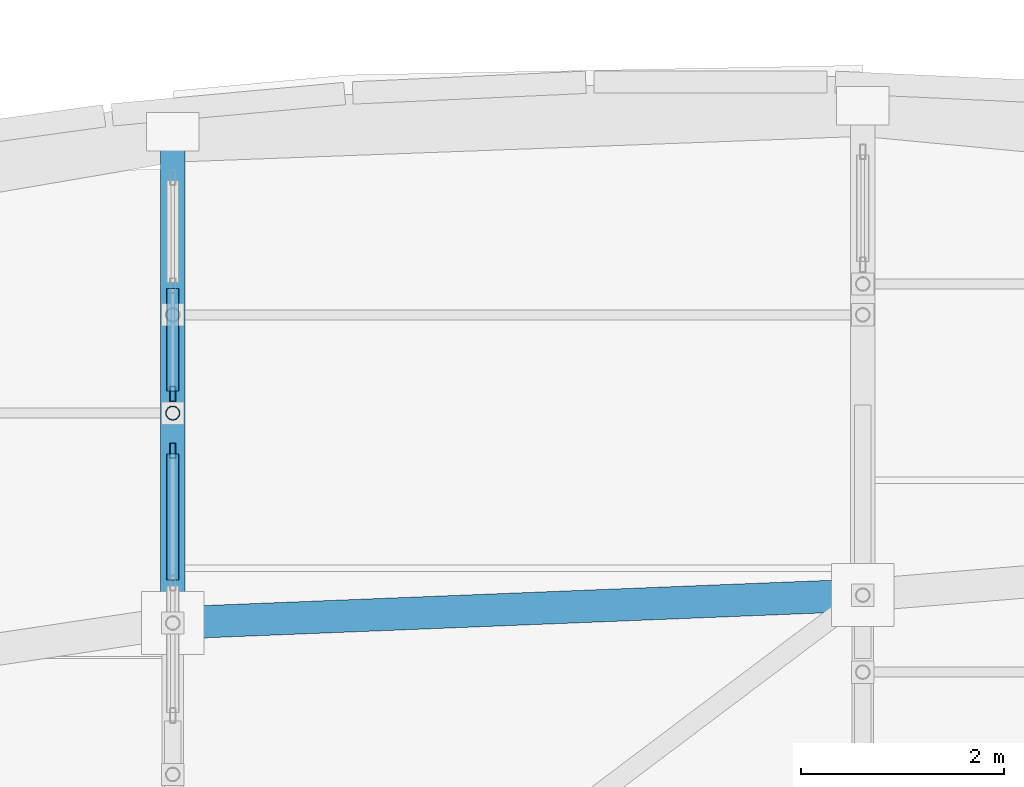
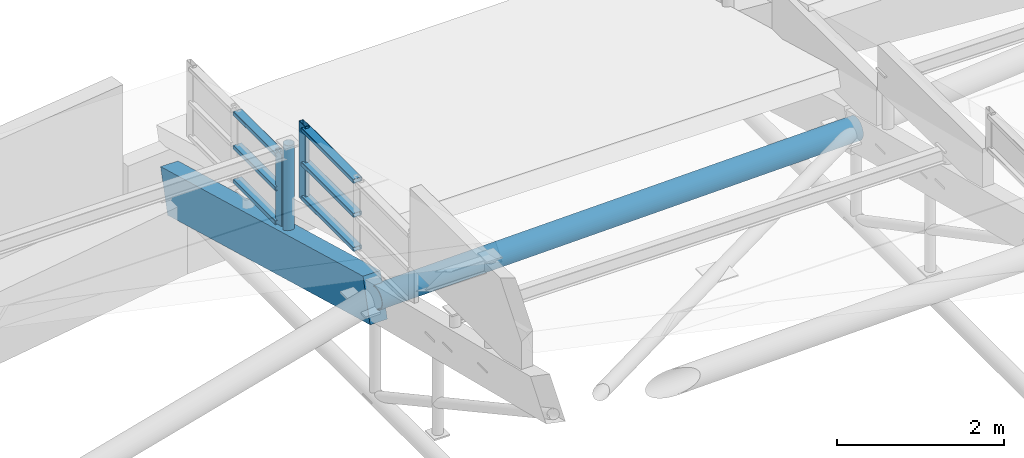
# One storey, part 99 of 188: 11 members, 2 elements without a shape of their own.
"""IFC4 building model written with IfcOpenShell, lengths in metres."""

from ifc_helpers import new_model, si_unit, direction, frame, origin, origin_2d, place, context, subcontext, project, spatial, rectangle, hollow_rectangle, hollow_circle, extrude, material, layer, layer_set, material_profile, profile_set, type_object, element, aggregate, save


model = new_model("IFC4")

# Units and contexts
model_context = context("Model", 3, precision=1e-05, world=origin(), true_north=direction((0.0, 1.0)))
body_context = subcontext(model_context, "Body", "Model", "MODEL_VIEW")
ifc_project = project(units=[si_unit("LENGTHUNIT", "METRE"), si_unit("AREAUNIT", "SQUARE_METRE"), si_unit("VOLUMEUNIT", "CUBIC_METRE"), si_unit("PLANEANGLEUNIT", "RADIAN"), si_unit("MASSUNIT", "GRAM", prefix="KILO")], contexts=[model_context])

# Site, building, storey
site_placement = place(None, origin())
site = spatial("IfcSite", under=ifc_project, at=site_placement, CompositionType="ELEMENT")
building_placement = place(site_placement, origin())
building = spatial("IfcBuilding", under=site, at=building_placement, Name="Kisaragi Civic Commons", CompositionType="ELEMENT")
storey_placement = place(building_placement, frame((0.0, 0.0, 9.60009765625)))
storey = spatial("IfcBuildingStorey", under=building, at=storey_placement, Name="L02", CompositionType="ELEMENT", Elevation=9.60009765625)

# Curtain wall, member
ifc_material_1 = material(Name="Thermally broken anodized aluminium and low-E double glazing", Category="aluminium")
ifc_layer = layer(ifc_material_1, 0.14990234375, Name="Thermally broken anodized aluminium and low-E double glazing", Category="aluminium")
ifc_layer_set = layer_set([ifc_layer], Name="Thermally broken anodized aluminium and low-E double glazing")
curtain_wall_type = type_object("IfcCurtainWallType", Name="CW-03", PredefinedType="NOTDEFINED", material=ifc_layer_set)
curtain_wall_1_placement = place(storey_placement, origin())
curtain_wall_1 = element("IfcCurtainWall", 1, at=curtain_wall_1_placement, inside=storey, type_object=curtain_wall_type, Name="L02 curtain wall CW-03 CW-CL-V2-201", PredefinedType="NOTDEFINED")
ifc_material_profile_1 = material_profile(ifc_material_1, hollow_rectangle(XDim=0.06005859375, YDim=0.14990234375, WallThickness=0.00390625, InnerFilletRadius=0.00390625, OuterFilletRadius=0.008056640625, at=origin_2d()), Name="CWM-60x150x4", Category="aluminium")
ifc_profile_set_1 = profile_set([ifc_material_profile_1], Name="Thermally broken anodized aluminium and low-E double glazing")
member_type_1 = type_object("IfcMemberType", Name="CWM-01", PredefinedType="MULLION", material=ifc_profile_set_1)
member_1_placement = place(storey_placement, frame((20.39990234375, 114.790283203125, 1.456298828125), z_axis=(0.0, 0.0, 1.0), x_axis=(-1.0, 0.0, 0.0)))
member_1 = element("IfcMember", 2, at=member_1_placement, type_object=member_type_1, Name="CW-03 mullion 3", PredefinedType="MULLION", context=body_context, shape_type="SweptSolid", body=[
    extrude(hollow_rectangle(XDim=0.06005859375, YDim=0.14990234375, WallThickness=0.00390625, InnerFilletRadius=0.00390625, OuterFilletRadius=0.008056640625, at=origin_2d()), origin(), (0.0, 0.0, 1.0), 1.114501953125),
])

curtain_wall_2_placement = place(storey_placement, origin())
curtain_wall_2 = element("IfcCurtainWall", 3, at=curtain_wall_2_placement, inside=storey, type_object=curtain_wall_type, Name="L02 curtain wall CW-03 CW-CL-V2-202", PredefinedType="NOTDEFINED")
member_2_placement = place(storey_placement, frame((20.39990234375, 115.350830078125, 0.71435546875), z_axis=(0.0, 0.0, 1.0), x_axis=(-1.0, 0.0, 0.0)))
member_2 = element("IfcMember", 4, at=member_2_placement, type_object=member_type_1, Name="CW-03 mullion 1", PredefinedType="MULLION", context=body_context, shape_type="SweptSolid", body=[
    extrude(hollow_rectangle(XDim=0.06005859375, YDim=0.14990234375, WallThickness=0.00390625, InnerFilletRadius=0.00390625, OuterFilletRadius=0.008056640625, at=origin_2d()), origin(), (0.0, 0.0, 1.0), 1.109619140625),
])

# Member
ifc_material_profile_2 = material_profile(ifc_material_1, hollow_rectangle(XDim=0.1201171875, YDim=0.06005859375, WallThickness=0.00390625, InnerFilletRadius=0.00390625, OuterFilletRadius=0.008056640625, at=origin_2d()), Name="CWT-60x120x4", Category="aluminium")
ifc_profile_set_2 = profile_set([ifc_material_profile_2], Name="Thermally broken anodized aluminium and low-E double glazing")
member_type_2 = type_object("IfcMemberType", Name="CWT-01", PredefinedType="USERDEFINED", material=ifc_profile_set_2)
member_3_placement = place(storey_placement, frame((20.39990234375, 113.515869140625, 1.516357421875), z_axis=(0.0, 1.0, 0.0), x_axis=(-1.0, 0.0, 0.0)))
member_3 = element("IfcMember", 5, at=member_3_placement, type_object=member_type_2, Name="CW-03 transom 2.1", ObjectType="TRANSOM", PredefinedType="USERDEFINED", context=body_context, shape_type="SweptSolid", body=[
    extrude(hollow_rectangle(XDim=0.1201171875, YDim=0.06005859375, WallThickness=0.00390625, InnerFilletRadius=0.00390625, OuterFilletRadius=0.008056640625, at=origin_2d()), origin(), (0.0, 0.0, 1.0), 1.244384765625),
])

member_4_placement = place(storey_placement, frame((20.39990234375, 113.515869140625, 2.013427734375), z_axis=(0.0, 1.0, 0.0), x_axis=(-1.0, 0.0, 0.0)))
member_4 = element("IfcMember", 6, at=member_4_placement, type_object=member_type_2, Name="CW-03 transom 2.2", ObjectType="TRANSOM", PredefinedType="USERDEFINED", context=body_context, shape_type="SweptSolid", body=[
    extrude(hollow_rectangle(XDim=0.1201171875, YDim=0.06005859375, WallThickness=0.00390625, InnerFilletRadius=0.00390625, OuterFilletRadius=0.008056640625, at=origin_2d()), origin(), (0.0, 0.0, 1.0), 1.244384765625),
])

member_5_placement = place(storey_placement, frame((20.39990234375, 113.515869140625, 2.5107421875), z_axis=(0.0, 1.0, 0.0), x_axis=(-1.0, 0.0, 0.0)))
member_5 = element("IfcMember", 7, at=member_5_placement, type_object=member_type_2, Name="CW-03 transom 2.3", ObjectType="TRANSOM", PredefinedType="USERDEFINED", context=body_context, shape_type="SweptSolid", body=[
    extrude(hollow_rectangle(XDim=0.1201171875, YDim=0.06005859375, WallThickness=0.00390625, InnerFilletRadius=0.00390625, OuterFilletRadius=0.008056640625, at=origin_2d()), origin(), (0.0, 0.0, 1.0), 1.244384765625),
])

aggregate(curtain_wall_1, [member_1, member_3, member_4, member_5])

member_6_placement = place(storey_placement, frame((20.39990234375, 115.380859375, 0.7744140625), z_axis=(0.0, 1.0, 0.0), x_axis=(-1.0, 0.0, 0.0)))
member_6 = element("IfcMember", 8, at=member_6_placement, type_object=member_type_2, Name="CW-03 transom 1.1", ObjectType="TRANSOM", PredefinedType="USERDEFINED", context=body_context, shape_type="SweptSolid", body=[
    extrude(hollow_rectangle(XDim=0.1201171875, YDim=0.06005859375, WallThickness=0.00390625, InnerFilletRadius=0.00390625, OuterFilletRadius=0.008056640625, at=origin_2d()), origin(), (0.0, 0.0, 1.0), 1.005859375),
])

member_7_placement = place(storey_placement, frame((20.39990234375, 115.380859375, 1.269287109375), z_axis=(0.0, 1.0, 0.0), x_axis=(-1.0, 0.0, 0.0)))
member_7 = element("IfcMember", 9, at=member_7_placement, type_object=member_type_2, Name="CW-03 transom 1.2", ObjectType="TRANSOM", PredefinedType="USERDEFINED", context=body_context, shape_type="SweptSolid", body=[
    extrude(hollow_rectangle(XDim=0.1201171875, YDim=0.06005859375, WallThickness=0.00390625, InnerFilletRadius=0.00390625, OuterFilletRadius=0.008056640625, at=origin_2d()), origin(), (0.0, 0.0, 1.0), 1.005859375),
])

member_8_placement = place(storey_placement, frame((20.39990234375, 115.380859375, 1.763916015625), z_axis=(0.0, 1.0, 0.0), x_axis=(-1.0, 0.0, 0.0)))
member_8 = element("IfcMember", 10, at=member_8_placement, type_object=member_type_2, Name="CW-03 transom 1.3", ObjectType="TRANSOM", PredefinedType="USERDEFINED", context=body_context, shape_type="SweptSolid", body=[
    extrude(hollow_rectangle(XDim=0.1201171875, YDim=0.06005859375, WallThickness=0.00390625, InnerFilletRadius=0.00390625, OuterFilletRadius=0.008056640625, at=origin_2d()), origin(), (0.0, 0.0, 1.0), 1.005859375),
])

aggregate(curtain_wall_2, [member_2, member_6, member_7, member_8])

# Members
ifc_material_2 = material(Name="Steel SN490 (SN490B)", Category="steel")
ifc_material_profile_3 = material_profile(ifc_material_2, hollow_circle(Radius=0.1591796875, WallThickness=0.01025390625, at=origin_2d()), Name="CHS-318.5x10.3", Category="steel")
ifc_profile_set_3 = profile_set([ifc_material_profile_3], Name="Steel SN490 (SN490B)")
member_type_3 = type_object("IfcMemberType", Name="GC-03", PredefinedType="CHORD", material=ifc_profile_set_3)
member_9_placement = place(storey_placement, frame((20.39990234375, 113.09228515625, 1.052734375), z_axis=(0.999135616754, 0.040319837476, -0.010115831111), x_axis=(-0.0403219006, 0.999186741471, 0.0)))
element("IfcMember", 11, at=member_9_placement, inside=storey, type_object=member_type_3, Name="V2 wave gridshell chord GC-03 28", PredefinedType="CHORD", context=body_context, shape_type="SweptSolid", body=[
    extrude(hollow_circle(Radius=0.1591796875, WallThickness=0.01025390625, at=origin_2d()), origin(), (0.0, 0.0, 1.0), 6.805908203125),
])
ifc_material_3 = material(Name="Glulam E120-F330", Category="wood")
ifc_material_profile_4 = material_profile(ifc_material_3, rectangle(XDim=0.239990234375, YDim=0.6298828125, at=origin_2d()), Name="GL-240x630", Category="wood")
ifc_profile_set_4 = profile_set([ifc_material_profile_4], Name="Glulam E120-F330")
member_type_4 = type_object("IfcMemberType", Name="GR-03", PredefinedType="RAFTER", material=ifc_profile_set_4)
member_10_placement = place(storey_placement, frame((20.39990234375, 113.09228515625, 1.052734375), z_axis=(0.0, 0.964003789254, -0.265888499759), x_axis=(-1.0, 0.0, 0.0)))
element("IfcMember", 12, at=member_10_placement, inside=storey, type_object=member_type_4, Name="V2 glulam arch rib GR-03 32", PredefinedType="RAFTER", context=body_context, shape_type="SweptSolid", body=[
    extrude(rectangle(XDim=0.239990234375, YDim=0.6298828125, at=origin_2d()), origin(), (0.0, 0.0, 1.0), 5.022705078125),
])
ifc_material_profile_5 = material_profile(ifc_material_2, hollow_circle(Radius=0.06982421875, WallThickness=0.006103515625, at=origin_2d()), Name="CHS-139.8x6.0", Category="steel")
ifc_profile_set_5 = profile_set([ifc_material_profile_5], Name="Steel SN490 (SN490B)")
member_type_5 = type_object("IfcMemberType", Name="ST-H1", PredefinedType="STRUT", material=ifc_profile_set_5)
member_11_placement = place(storey_placement, frame((20.39990234375, 115.160888671875, 0.482177734375), z_axis=(0.0, 0.0, 1.0), x_axis=(1.0, 0.0, 0.0)))
element("IfcMember", 13, at=member_11_placement, inside=storey, type_object=member_type_5, Name="V2 clerestory monitor horizontal tie strut 3.3.8", PredefinedType="STRUT", context=body_context, shape_type="SweptSolid", body=[
    extrude(hollow_circle(Radius=0.06982421875, WallThickness=0.006103515625, at=origin_2d()), origin(), (0.0, 0.0, 1.0), 1.578125),
])

save(model, "model.ifc")
